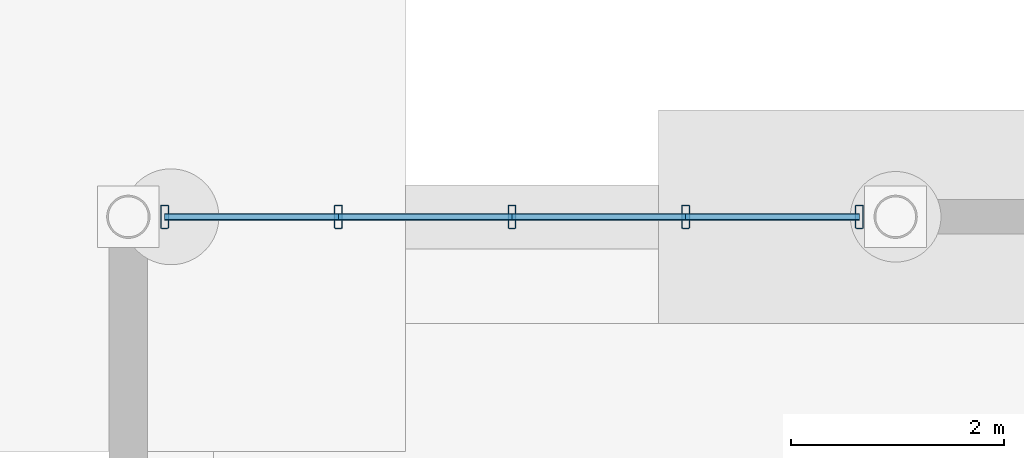
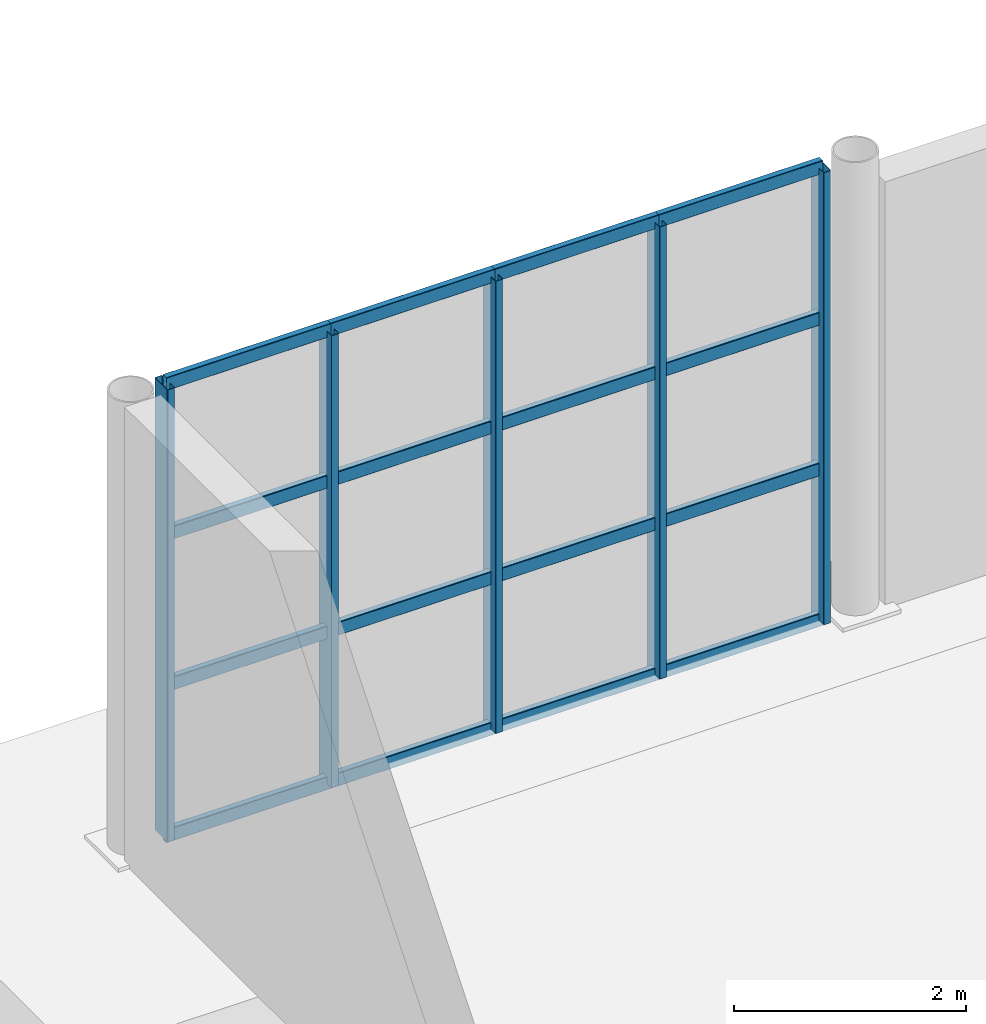
# One storey, part 47 of 101: 21 members, 1 element without a shape of its own.
"""IFC4 building model written with IfcOpenShell, lengths in metres."""

from ifc_helpers import new_model, si_unit, derived_unit, direction, frame, origin, origin_2d, place, context, subcontext, project, spatial, hollow_rectangle, extrude, material, material_profile, profile_set, type_object, element, aggregate, save


model = new_model("IFC4")

# Units and contexts
model_context = context("Model", 3, precision=1e-05, world=origin(), true_north=direction((0.0, 1.0)))
body_context = subcontext(model_context, "Body", "Model", "MODEL_VIEW")
ifc_project = project(units=[si_unit("LENGTHUNIT", "METRE"), si_unit("AREAUNIT", "SQUARE_METRE"), si_unit("VOLUMEUNIT", "CUBIC_METRE"), si_unit("PLANEANGLEUNIT", "RADIAN"), si_unit("MASSUNIT", "GRAM", prefix="KILO"), derived_unit("THERMALTRANSMITTANCEUNIT", [(si_unit("POWERUNIT", "WATT"), 1), (si_unit("LENGTHUNIT", "METRE"), -2), (si_unit("THERMODYNAMICTEMPERATUREUNIT", "KELVIN"), -1)])], contexts=[model_context])

# Site, building, storey
site_placement = place(None, origin())
site = spatial("IfcSite", under=ifc_project, at=site_placement, CompositionType="ELEMENT")
building_placement = place(site_placement, origin())
building = spatial("IfcBuilding", under=site, at=building_placement, Name="Keldorne Ridge Multi-Sports Centre", CompositionType="ELEMENT")
storey_placement = place(building_placement, origin())
storey = spatial("IfcBuildingStorey", under=building, at=storey_placement, Name="L00", CompositionType="ELEMENT", Elevation=0.0)

# Curtain wall, members
ifc_material = material(Name="Anodized aluminium", Category="aluminium")
curtain_wall_type = type_object("IfcCurtainWallType", Name="CW-CW-05", PredefinedType="NOTDEFINED", material=ifc_material)
curtain_wall_placement = place(storey_placement, origin())
curtain_wall = element("IfcCurtainWall", 1, at=curtain_wall_placement, inside=storey, type_object=curtain_wall_type, Name="Climbing north glazing L00 037", PredefinedType="NOTDEFINED")
ifc_material_profile_1 = material_profile(ifc_material, hollow_rectangle(XDim=0.074951171875, YDim=0.219970703125, WallThickness=0.0048828125, InnerFilletRadius=0.0048828125, OuterFilletRadius=0.010009765625, at=origin_2d()), Name="ALU MULLION 220x75x5")
ifc_profile_set_1 = profile_set([ifc_material_profile_1], Name="Anodized aluminium")
member_type_1 = type_object("IfcMemberType", Name="MEM-ML-02", PredefinedType="MULLION", material=ifc_profile_set_1)
member_1_placement = place(storey_placement, frame((12.860107421875, 114.0, 0.0), z_axis=(0.0, 0.0, 1.0), x_axis=(1.0, 0.0, 0.0)))
member_1 = element("IfcMember", 2, at=member_1_placement, type_object=member_type_1, Name="CW-037 vertical mullion 1", PredefinedType="MULLION", context=body_context, shape_type="SweptSolid", body=[
    extrude(hollow_rectangle(XDim=0.074951171875, YDim=0.219970703125, WallThickness=0.0048828125, InnerFilletRadius=0.0048828125, OuterFilletRadius=0.010009765625, at=origin_2d()), origin(), (0.0, 0.0, 1.0), 4.75),
])
member_2_placement = place(storey_placement, frame((11.22998046875, 114.0, 0.0), z_axis=(0.0, 0.0, 1.0), x_axis=(1.0, 0.0, 0.0)))
member_2 = element("IfcMember", 3, at=member_2_placement, type_object=member_type_1, Name="CW-037 vertical mullion 2", PredefinedType="MULLION", context=body_context, shape_type="SweptSolid", body=[
    extrude(hollow_rectangle(XDim=0.074951171875, YDim=0.219970703125, WallThickness=0.0048828125, InnerFilletRadius=0.0048828125, OuterFilletRadius=0.010009765625, at=origin_2d()), origin(), (0.0, 0.0, 1.0), 4.75),
])
member_3_placement = place(storey_placement, frame((9.60009765625, 114.0, 0.0), z_axis=(0.0, 0.0, 1.0), x_axis=(1.0, 0.0, 0.0)))
member_3 = element("IfcMember", 4, at=member_3_placement, type_object=member_type_1, Name="CW-037 vertical mullion 3", PredefinedType="MULLION", context=body_context, shape_type="SweptSolid", body=[
    extrude(hollow_rectangle(XDim=0.074951171875, YDim=0.219970703125, WallThickness=0.0048828125, InnerFilletRadius=0.0048828125, OuterFilletRadius=0.010009765625, at=origin_2d()), origin(), (0.0, 0.0, 1.0), 4.75),
])
member_4_placement = place(storey_placement, frame((7.969970703125, 114.0, 0.0), z_axis=(0.0, 0.0, 1.0), x_axis=(1.0, 0.0, 0.0)))
member_4 = element("IfcMember", 5, at=member_4_placement, type_object=member_type_1, Name="CW-037 vertical mullion 4", PredefinedType="MULLION", context=body_context, shape_type="SweptSolid", body=[
    extrude(hollow_rectangle(XDim=0.074951171875, YDim=0.219970703125, WallThickness=0.0048828125, InnerFilletRadius=0.0048828125, OuterFilletRadius=0.010009765625, at=origin_2d()), origin(), (0.0, 0.0, 1.0), 4.75),
])
member_5_placement = place(storey_placement, frame((6.340087890625, 114.0, 0.0), z_axis=(0.0, 0.0, 1.0), x_axis=(1.0, 0.0, 0.0)))
member_5 = element("IfcMember", 6, at=member_5_placement, type_object=member_type_1, Name="CW-037 vertical mullion 5", PredefinedType="MULLION", context=body_context, shape_type="SweptSolid", body=[
    extrude(hollow_rectangle(XDim=0.074951171875, YDim=0.219970703125, WallThickness=0.0048828125, InnerFilletRadius=0.0048828125, OuterFilletRadius=0.010009765625, at=origin_2d()), origin(), (0.0, 0.0, 1.0), 4.75),
])
ifc_material_profile_2 = material_profile(ifc_material, hollow_rectangle(XDim=0.06494140625, YDim=0.139892578125, WallThickness=0.00439453125, InnerFilletRadius=0.00439453125, OuterFilletRadius=0.009033203125, at=origin_2d()), Name="ALU TRANSOM 140x65x4.5")
ifc_profile_set_2 = profile_set([ifc_material_profile_2], Name="Anodized aluminium")
member_type_2 = type_object("IfcMemberType", Name="MEM-TR-01", PredefinedType="USERDEFINED", material=ifc_profile_set_2)
member_6_placement = place(storey_placement, frame((12.860107421875, 114.0, 0.0), z_axis=(-1.0, 0.0, 0.0), x_axis=(0.0, -1.0, 0.0)))
member_6 = element("IfcMember", 7, at=member_6_placement, type_object=member_type_2, Name="CW-037 transom 1.1", ObjectType="TRANSOM", PredefinedType="USERDEFINED", context=body_context, shape_type="SweptSolid", body=[
    extrude(hollow_rectangle(XDim=0.06494140625, YDim=0.139892578125, WallThickness=0.00439453125, InnerFilletRadius=0.00439453125, OuterFilletRadius=0.009033203125, at=origin_2d()), origin(), (0.0, 0.0, 1.0), 1.630126953125),
])
member_7_placement = place(storey_placement, frame((12.860107421875, 114.0, 1.583251953125), z_axis=(-1.0, 0.0, 0.0), x_axis=(0.0, -1.0, 0.0)))
member_7 = element("IfcMember", 8, at=member_7_placement, type_object=member_type_2, Name="CW-037 transom 1.2", ObjectType="TRANSOM", PredefinedType="USERDEFINED", context=body_context, shape_type="SweptSolid", body=[
    extrude(hollow_rectangle(XDim=0.06494140625, YDim=0.139892578125, WallThickness=0.00439453125, InnerFilletRadius=0.00439453125, OuterFilletRadius=0.009033203125, at=origin_2d()), origin(), (0.0, 0.0, 1.0), 1.630126953125),
])
member_8_placement = place(storey_placement, frame((12.860107421875, 114.0, 3.166748046875), z_axis=(-1.0, 0.0, 0.0), x_axis=(0.0, -1.0, 0.0)))
member_8 = element("IfcMember", 9, at=member_8_placement, type_object=member_type_2, Name="CW-037 transom 1.3", ObjectType="TRANSOM", PredefinedType="USERDEFINED", context=body_context, shape_type="SweptSolid", body=[
    extrude(hollow_rectangle(XDim=0.06494140625, YDim=0.139892578125, WallThickness=0.00439453125, InnerFilletRadius=0.00439453125, OuterFilletRadius=0.009033203125, at=origin_2d()), origin(), (0.0, 0.0, 1.0), 1.630126953125),
])
member_9_placement = place(storey_placement, frame((12.860107421875, 114.0, 4.75), z_axis=(-1.0, 0.0, 0.0), x_axis=(0.0, -1.0, 0.0)))
member_9 = element("IfcMember", 10, at=member_9_placement, type_object=member_type_2, Name="CW-037 transom 1.4", ObjectType="TRANSOM", PredefinedType="USERDEFINED", context=body_context, shape_type="SweptSolid", body=[
    extrude(hollow_rectangle(XDim=0.06494140625, YDim=0.139892578125, WallThickness=0.00439453125, InnerFilletRadius=0.00439453125, OuterFilletRadius=0.009033203125, at=origin_2d()), origin(), (0.0, 0.0, 1.0), 1.630126953125),
])
member_10_placement = place(storey_placement, frame((11.22998046875, 114.0, 0.0), z_axis=(-1.0, 0.0, 0.0), x_axis=(0.0, -1.0, 0.0)))
member_10 = element("IfcMember", 11, at=member_10_placement, type_object=member_type_2, Name="CW-037 transom 2.1", ObjectType="TRANSOM", PredefinedType="USERDEFINED", context=body_context, shape_type="SweptSolid", body=[
    extrude(hollow_rectangle(XDim=0.06494140625, YDim=0.139892578125, WallThickness=0.00439453125, InnerFilletRadius=0.00439453125, OuterFilletRadius=0.009033203125, at=origin_2d()), origin(), (0.0, 0.0, 1.0), 1.6298828125),
])
member_11_placement = place(storey_placement, frame((11.22998046875, 114.0, 1.583251953125), z_axis=(-1.0, 0.0, 0.0), x_axis=(0.0, -1.0, 0.0)))
member_11 = element("IfcMember", 12, at=member_11_placement, type_object=member_type_2, Name="CW-037 transom 2.2", ObjectType="TRANSOM", PredefinedType="USERDEFINED", context=body_context, shape_type="SweptSolid", body=[
    extrude(hollow_rectangle(XDim=0.06494140625, YDim=0.139892578125, WallThickness=0.00439453125, InnerFilletRadius=0.00439453125, OuterFilletRadius=0.009033203125, at=origin_2d()), origin(), (0.0, 0.0, 1.0), 1.6298828125),
])
member_12_placement = place(storey_placement, frame((11.22998046875, 114.0, 3.166748046875), z_axis=(-1.0, 0.0, 0.0), x_axis=(0.0, -1.0, 0.0)))
member_12 = element("IfcMember", 13, at=member_12_placement, type_object=member_type_2, Name="CW-037 transom 2.3", ObjectType="TRANSOM", PredefinedType="USERDEFINED", context=body_context, shape_type="SweptSolid", body=[
    extrude(hollow_rectangle(XDim=0.06494140625, YDim=0.139892578125, WallThickness=0.00439453125, InnerFilletRadius=0.00439453125, OuterFilletRadius=0.009033203125, at=origin_2d()), origin(), (0.0, 0.0, 1.0), 1.6298828125),
])
member_13_placement = place(storey_placement, frame((11.22998046875, 114.0, 4.75), z_axis=(-1.0, 0.0, 0.0), x_axis=(0.0, -1.0, 0.0)))
member_13 = element("IfcMember", 14, at=member_13_placement, type_object=member_type_2, Name="CW-037 transom 2.4", ObjectType="TRANSOM", PredefinedType="USERDEFINED", context=body_context, shape_type="SweptSolid", body=[
    extrude(hollow_rectangle(XDim=0.06494140625, YDim=0.139892578125, WallThickness=0.00439453125, InnerFilletRadius=0.00439453125, OuterFilletRadius=0.009033203125, at=origin_2d()), origin(), (0.0, 0.0, 1.0), 1.6298828125),
])
member_14_placement = place(storey_placement, frame((9.60009765625, 114.0, 0.0), z_axis=(-1.0, 0.0, 0.0), x_axis=(0.0, -1.0, 0.0)))
member_14 = element("IfcMember", 15, at=member_14_placement, type_object=member_type_2, Name="CW-037 transom 3.1", ObjectType="TRANSOM", PredefinedType="USERDEFINED", context=body_context, shape_type="SweptSolid", body=[
    extrude(hollow_rectangle(XDim=0.06494140625, YDim=0.139892578125, WallThickness=0.00439453125, InnerFilletRadius=0.00439453125, OuterFilletRadius=0.009033203125, at=origin_2d()), origin(), (0.0, 0.0, 1.0), 1.630126953125),
])
member_15_placement = place(storey_placement, frame((9.60009765625, 114.0, 1.583251953125), z_axis=(-1.0, 0.0, 0.0), x_axis=(0.0, -1.0, 0.0)))
member_15 = element("IfcMember", 16, at=member_15_placement, type_object=member_type_2, Name="CW-037 transom 3.2", ObjectType="TRANSOM", PredefinedType="USERDEFINED", context=body_context, shape_type="SweptSolid", body=[
    extrude(hollow_rectangle(XDim=0.06494140625, YDim=0.139892578125, WallThickness=0.00439453125, InnerFilletRadius=0.00439453125, OuterFilletRadius=0.009033203125, at=origin_2d()), origin(), (0.0, 0.0, 1.0), 1.630126953125),
])
member_16_placement = place(storey_placement, frame((9.60009765625, 114.0, 3.166748046875), z_axis=(-1.0, 0.0, 0.0), x_axis=(0.0, -1.0, 0.0)))
member_16 = element("IfcMember", 17, at=member_16_placement, type_object=member_type_2, Name="CW-037 transom 3.3", ObjectType="TRANSOM", PredefinedType="USERDEFINED", context=body_context, shape_type="SweptSolid", body=[
    extrude(hollow_rectangle(XDim=0.06494140625, YDim=0.139892578125, WallThickness=0.00439453125, InnerFilletRadius=0.00439453125, OuterFilletRadius=0.009033203125, at=origin_2d()), origin(), (0.0, 0.0, 1.0), 1.630126953125),
])
member_17_placement = place(storey_placement, frame((9.60009765625, 114.0, 4.75), z_axis=(-1.0, 0.0, 0.0), x_axis=(0.0, -1.0, 0.0)))
member_17 = element("IfcMember", 18, at=member_17_placement, type_object=member_type_2, Name="CW-037 transom 3.4", ObjectType="TRANSOM", PredefinedType="USERDEFINED", context=body_context, shape_type="SweptSolid", body=[
    extrude(hollow_rectangle(XDim=0.06494140625, YDim=0.139892578125, WallThickness=0.00439453125, InnerFilletRadius=0.00439453125, OuterFilletRadius=0.009033203125, at=origin_2d()), origin(), (0.0, 0.0, 1.0), 1.630126953125),
])
member_18_placement = place(storey_placement, frame((7.969970703125, 114.0, 0.0), z_axis=(-1.0, 0.0, 0.0), x_axis=(0.0, -1.0, 0.0)))
member_18 = element("IfcMember", 19, at=member_18_placement, type_object=member_type_2, Name="CW-037 transom 4.1", ObjectType="TRANSOM", PredefinedType="USERDEFINED", context=body_context, shape_type="SweptSolid", body=[
    extrude(hollow_rectangle(XDim=0.06494140625, YDim=0.139892578125, WallThickness=0.00439453125, InnerFilletRadius=0.00439453125, OuterFilletRadius=0.009033203125, at=origin_2d()), origin(), (0.0, 0.0, 1.0), 1.6298828125),
])
member_19_placement = place(storey_placement, frame((7.969970703125, 114.0, 1.583251953125), z_axis=(-1.0, 0.0, 0.0), x_axis=(0.0, -1.0, 0.0)))
member_19 = element("IfcMember", 20, at=member_19_placement, type_object=member_type_2, Name="CW-037 transom 4.2", ObjectType="TRANSOM", PredefinedType="USERDEFINED", context=body_context, shape_type="SweptSolid", body=[
    extrude(hollow_rectangle(XDim=0.06494140625, YDim=0.139892578125, WallThickness=0.00439453125, InnerFilletRadius=0.00439453125, OuterFilletRadius=0.009033203125, at=origin_2d()), origin(), (0.0, 0.0, 1.0), 1.6298828125),
])
member_20_placement = place(storey_placement, frame((7.969970703125, 114.0, 3.166748046875), z_axis=(-1.0, 0.0, 0.0), x_axis=(0.0, -1.0, 0.0)))
member_20 = element("IfcMember", 21, at=member_20_placement, type_object=member_type_2, Name="CW-037 transom 4.3", ObjectType="TRANSOM", PredefinedType="USERDEFINED", context=body_context, shape_type="SweptSolid", body=[
    extrude(hollow_rectangle(XDim=0.06494140625, YDim=0.139892578125, WallThickness=0.00439453125, InnerFilletRadius=0.00439453125, OuterFilletRadius=0.009033203125, at=origin_2d()), origin(), (0.0, 0.0, 1.0), 1.6298828125),
])
member_21_placement = place(storey_placement, frame((7.969970703125, 114.0, 4.75), z_axis=(-1.0, 0.0, 0.0), x_axis=(0.0, -1.0, 0.0)))
member_21 = element("IfcMember", 22, at=member_21_placement, type_object=member_type_2, Name="CW-037 transom 4.4", ObjectType="TRANSOM", PredefinedType="USERDEFINED", context=body_context, shape_type="SweptSolid", body=[
    extrude(hollow_rectangle(XDim=0.06494140625, YDim=0.139892578125, WallThickness=0.00439453125, InnerFilletRadius=0.00439453125, OuterFilletRadius=0.009033203125, at=origin_2d()), origin(), (0.0, 0.0, 1.0), 1.6298828125),
])
aggregate(curtain_wall, [member_1, member_2, member_3, member_4, member_5, member_6, member_7, member_8, member_9, member_10, member_11, member_12, member_13, member_14, member_15, member_16, member_17, member_18, member_19, member_20, member_21])

save(model, "model.ifc")
